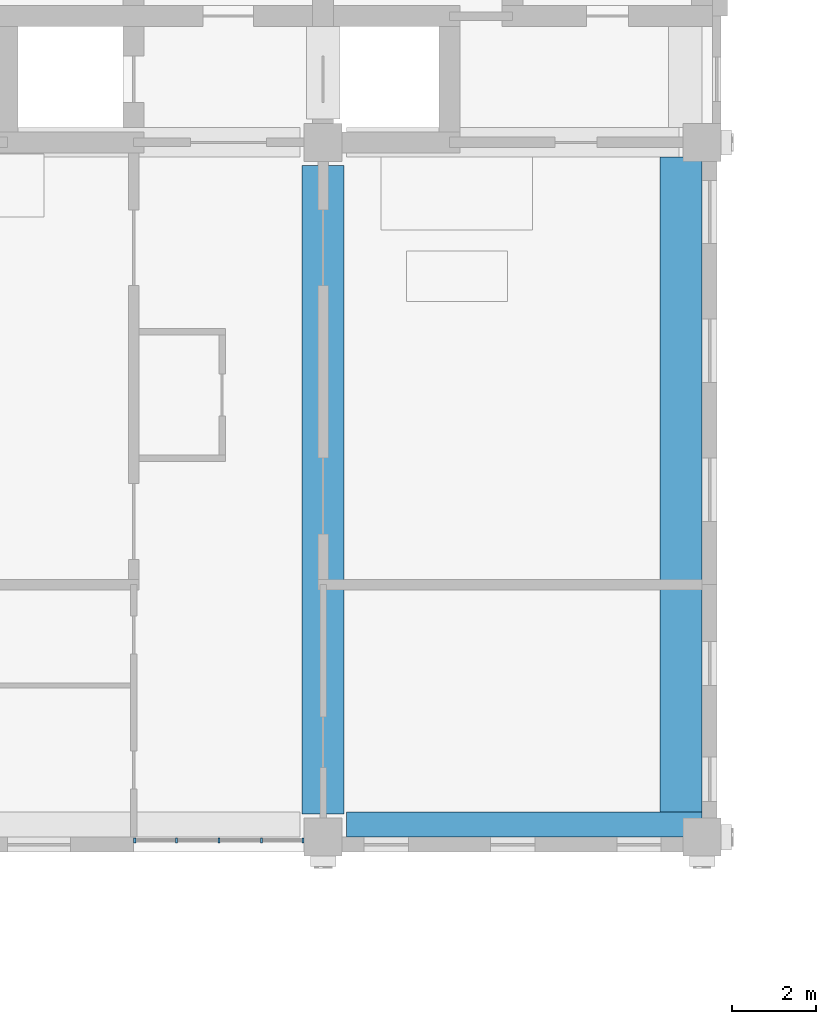
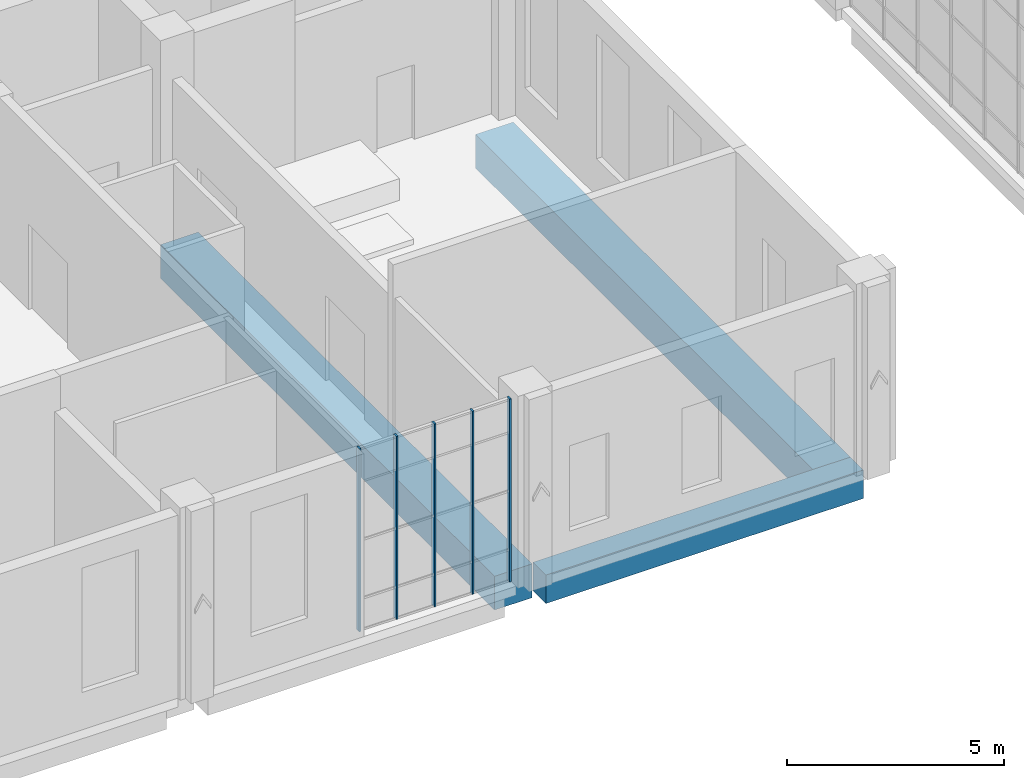
# One storey, part 4 of 33: 5 members, 3 beams, 1 element without a shape of its own.
"""IFC4 building model written with IfcOpenShell, lengths in metres."""

from ifc_helpers import new_model, si_unit, direction, frame, origin, origin_2d, place, context, subcontext, project, spatial, rectangle, extrude, material, layer, layer_set, material_profile, profile_set, type_object, element, aggregate, save


model = new_model("IFC4")

# Units and contexts
model_context = context("Model", 3, precision=1e-05, world=origin(), true_north=direction((0.0, 1.0)))
body_context = subcontext(model_context, "Body", "Model", "MODEL_VIEW")
ifc_project = project(units=[si_unit("LENGTHUNIT", "METRE"), si_unit("AREAUNIT", "SQUARE_METRE"), si_unit("VOLUMEUNIT", "CUBIC_METRE"), si_unit("PLANEANGLEUNIT", "RADIAN"), si_unit("MASSUNIT", "GRAM", prefix="KILO")], contexts=[model_context])

# Site, building, storey
site_placement = place(None, origin())
site = spatial("IfcSite", under=ifc_project, at=site_placement, CompositionType="ELEMENT")
building_placement = place(site_placement, origin())
building = spatial("IfcBuilding", under=site, at=building_placement, Name="Aurelan Courthouse", CompositionType="ELEMENT")
storey_placement = place(building_placement, frame((0.0, 0.0, 22.800048828125)))
storey = spatial("IfcBuildingStorey", under=building, at=storey_placement, Name="L04", CompositionType="ELEMENT", Elevation=22.800048828125)

# Curtain wall, members
ifc_material_1 = material(Name="Bronze-finished aluminium and glass", Category="aluminium")
ifc_layer = layer(ifc_material_1, 0.14990234375)
ifc_layer_set = layer_set([ifc_layer], Name="Bronze-finished aluminium and glass")
curtain_wall_type = type_object("IfcCurtainWallType", Name="Curtain wall 4050 x 5150", PredefinedType="NOTDEFINED", material=ifc_layer_set)
curtain_wall_placement = place(storey_placement, origin())
curtain_wall = element("IfcCurtainWall", 1, at=curtain_wall_placement, inside=storey, type_object=curtain_wall_type, Name="Curtain wall CW-V2-L04-S01", PredefinedType="NOTDEFINED")
ifc_material_2 = material(Name="Bronze-finished aluminium", Category="aluminium")
ifc_material_profile_1 = material_profile(ifc_material_2, rectangle(XDim=0.1201171875, YDim=0.050048828125, at=origin_2d()), Name="Bronze mullion 50 x 120")
ifc_profile_set_1 = profile_set([ifc_material_profile_1], Name="Bronze-finished aluminium")
member_type = type_object("IfcMemberType", Name="Curtain wall mullion 50 x 120", PredefinedType="MULLION", material=ifc_profile_set_1)
member_1_placement = place(storey_placement, frame((49.52490234375, 37.425048828125, 0.0), z_axis=(0.0, 0.0, 1.0), x_axis=(0.0, 1.0, 0.0)))
member_1 = element("IfcMember", 2, at=member_1_placement, type_object=member_type, Name="CW-V2-L04-S01 mullion 1", PredefinedType="MULLION", context=body_context, shape_type="SweptSolid", body=[
    extrude(rectangle(XDim=0.1201171875, YDim=0.050048828125, at=origin_2d()), origin(), (0.0, 0.0, 1.0), 5.14990234375),
])
member_2_placement = place(storey_placement, frame((50.512451171875, 37.425048828125, 0.0), z_axis=(0.0, 0.0, 1.0), x_axis=(0.0, 1.0, 0.0)))
member_2 = element("IfcMember", 3, at=member_2_placement, type_object=member_type, Name="CW-V2-L04-S01 mullion 2", PredefinedType="MULLION", context=body_context, shape_type="SweptSolid", body=[
    extrude(rectangle(XDim=0.1201171875, YDim=0.050048828125, at=origin_2d()), origin(), (0.0, 0.0, 1.0), 5.14990234375),
])
member_3_placement = place(storey_placement, frame((51.52490234375, 37.425048828125, 0.0), z_axis=(0.0, 0.0, 1.0), x_axis=(0.0, 1.0, 0.0)))
member_3 = element("IfcMember", 4, at=member_3_placement, type_object=member_type, Name="CW-V2-L04-S01 mullion 3", PredefinedType="MULLION", context=body_context, shape_type="SweptSolid", body=[
    extrude(rectangle(XDim=0.1201171875, YDim=0.050048828125, at=origin_2d()), origin(), (0.0, 0.0, 1.0), 5.14990234375),
])
member_4_placement = place(storey_placement, frame((52.53759765625, 37.425048828125, 0.0), z_axis=(0.0, 0.0, 1.0), x_axis=(0.0, 1.0, 0.0)))
member_4 = element("IfcMember", 5, at=member_4_placement, type_object=member_type, Name="CW-V2-L04-S01 mullion 4", PredefinedType="MULLION", context=body_context, shape_type="SweptSolid", body=[
    extrude(rectangle(XDim=0.1201171875, YDim=0.050048828125, at=origin_2d()), origin(), (0.0, 0.0, 1.0), 5.14990234375),
])
member_5_placement = place(storey_placement, frame((53.52490234375, 37.425048828125, 0.0), z_axis=(0.0, 0.0, 1.0), x_axis=(0.0, 1.0, 0.0)))
member_5 = element("IfcMember", 6, at=member_5_placement, type_object=member_type, Name="CW-V2-L04-S01 mullion 5", PredefinedType="MULLION", context=body_context, shape_type="SweptSolid", body=[
    extrude(rectangle(XDim=0.1201171875, YDim=0.050048828125, at=origin_2d()), origin(), (0.0, 0.0, 1.0), 5.14990234375),
])
aggregate(curtain_wall, [member_1, member_2, member_3, member_4, member_5])

# Beams
ifc_material_3 = material(Name="Concrete C50", Category="concrete")
ifc_material_profile_2 = material_profile(ifc_material_3, rectangle(XDim=1.0, YDim=0.949951171875, at=origin_2d()), Name="RC 1000 x 950")
ifc_profile_set_2 = profile_set([ifc_material_profile_2], Name="Concrete C50")
beam_type_1 = type_object("IfcBeamType", Name="PT girder 1000 x 950", PredefinedType="BEAM", material=ifc_profile_set_2)
beam_1_placement = place(storey_placement, frame((54.0, 38.050048828125, -0.72509765625), z_axis=(0.0, 1.0, 0.0), x_axis=(-1.0, 0.0, 0.0)))
element("IfcBeam", 7, at=beam_1_placement, inside=storey, type_object=beam_type_1, Name="Girder GB-7DE", PredefinedType="BEAM", context=body_context, shape_type="SweptSolid", body=[
    extrude(rectangle(XDim=1.0, YDim=0.949951171875, at=origin_2d()), origin(), (0.0, 0.0, 1.0), 15.39990234375),
])
beam_2_placement = place(storey_placement, frame((62.5, 38.10009765625, -0.72509765625), z_axis=(0.0, 1.0, 0.0), x_axis=(-1.0, 0.0, 0.0)))
element("IfcBeam", 8, at=beam_2_placement, inside=storey, type_object=beam_type_1, Name="Girder GB-8DE-E", PredefinedType="BEAM", context=body_context, shape_type="SweptSolid", body=[
    extrude(rectangle(XDim=1.0, YDim=0.949951171875, at=origin_2d()), origin(), (0.0, 0.0, 1.0), 15.5498046875),
])
ifc_material_profile_3 = material_profile(ifc_material_3, rectangle(XDim=0.60009765625, YDim=0.800048828125, at=origin_2d()), Name="RC 600 x 800")
ifc_profile_set_3 = profile_set([ifc_material_profile_3], Name="Concrete C50")
beam_type_2 = type_object("IfcBeamType", Name="RC spandrel beam 600 x 800", PredefinedType="SPANDREL", material=ifc_profile_set_3)
beam_3_placement = place(storey_placement, frame((54.550048828125, 37.800048828125, -0.650146484375), z_axis=(1.0, 0.0, 0.0), x_axis=(0.0, 1.0, 0.0)))
element("IfcBeam", 9, at=beam_3_placement, inside=storey, type_object=beam_type_2, Name="Spandrel beam SB-D-7-8", PredefinedType="SPANDREL", context=body_context, shape_type="SweptSolid", body=[
    extrude(rectangle(XDim=0.60009765625, YDim=0.800048828125, at=origin_2d()), origin(), (0.0, 0.0, 1.0), 8.449951171875),
])

save(model, "model.ifc")
